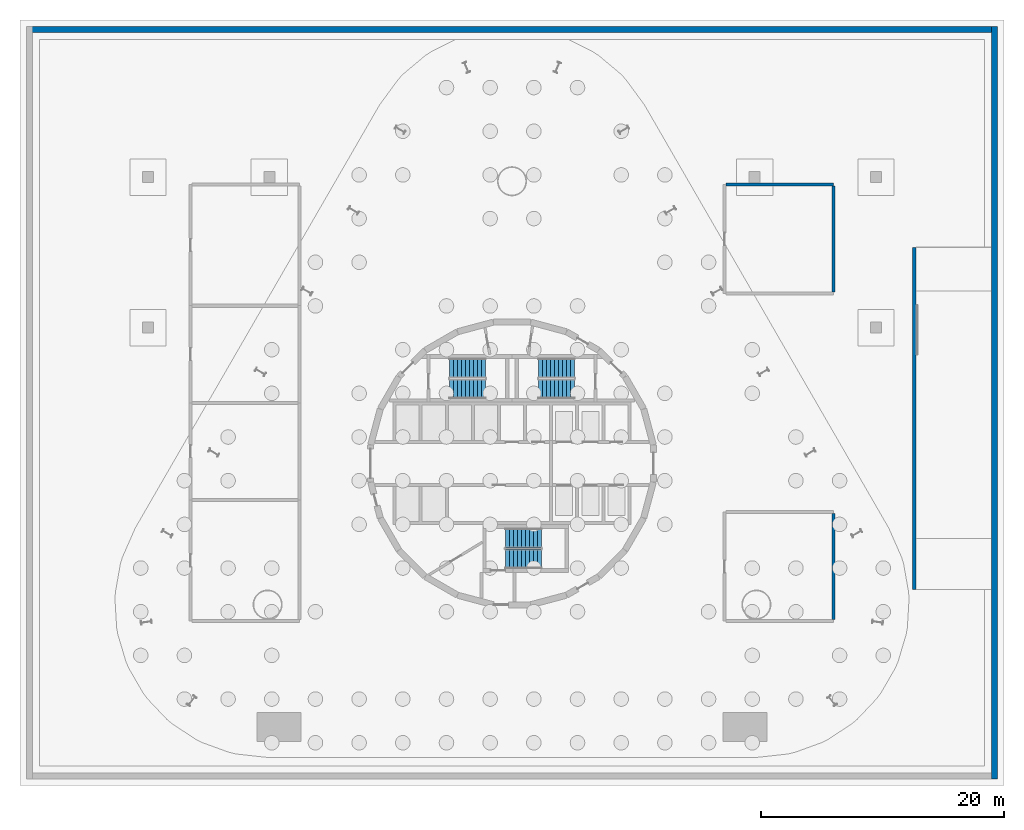
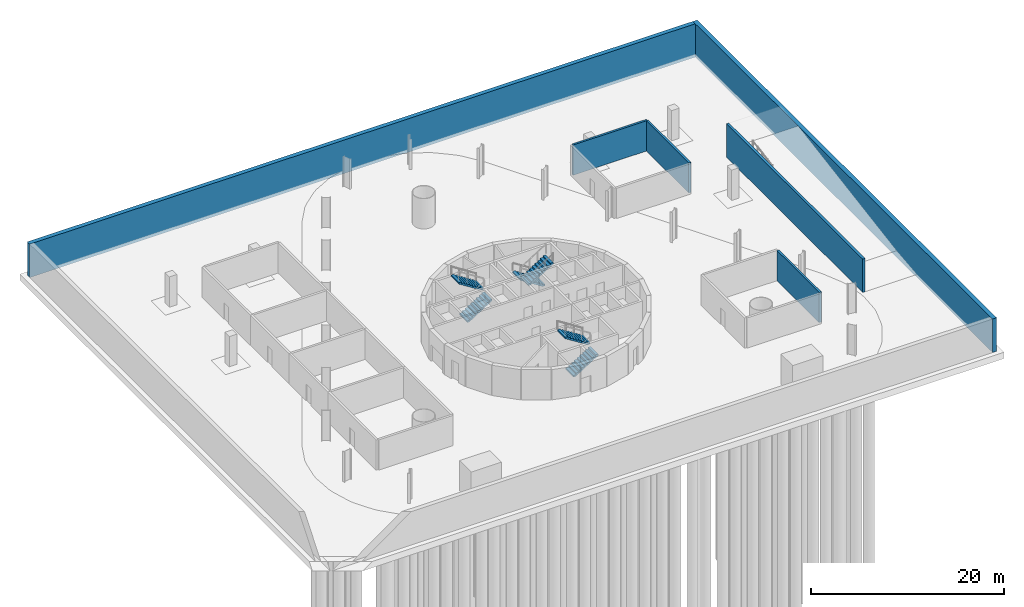
# One storey, part 9 of 11: 6 stair flights, 6 walls, 3 elements without a shape of their own.
"""IFC4 building model written with IfcOpenShell, lengths in metres."""

from ifc_helpers import new_model, si_unit, direction, frame, frame_2d, origin, place, context, subcontext, project, spatial, polyline, rectangle, outline, extrude, material, layer, layer_set, type_object, element, aggregate, save


model = new_model("IFC4")

# Units and contexts
model_context = context("Model", 3, precision=1e-05, world=origin(), true_north=direction((0.0, 1.0)))
body_context = subcontext(model_context, "Body", "Model", "MODEL_VIEW")
ifc_project = project(units=[si_unit("LENGTHUNIT", "METRE"), si_unit("AREAUNIT", "SQUARE_METRE"), si_unit("VOLUMEUNIT", "CUBIC_METRE"), si_unit("PLANEANGLEUNIT", "RADIAN"), si_unit("MASSUNIT", "GRAM", prefix="KILO")], contexts=[model_context])

# Site, building, storey
site_placement = place(None, origin())
site = spatial("IfcSite", under=ifc_project, at=site_placement, CompositionType="ELEMENT")
building_placement = place(site_placement, origin())
building = spatial("IfcBuilding", under=site, at=building_placement, Name="Spindle Arch Residences", CompositionType="ELEMENT")
storey_placement = place(building_placement, frame((0.0, 0.0, -8.39990234375)))
storey = spatial("IfcBuildingStorey", under=building, at=storey_placement, Name="B2", CompositionType="ELEMENT", Elevation=-8.39990234375)

# Walls
ifc_material_1 = material(Name="Concrete C40/50", Category="concrete")
ifc_layer_1 = layer(ifc_material_1, 0.5)
ifc_layer_set_1 = layer_set([ifc_layer_1], Name="Basement retaining wall 500")
wall_type_1 = type_object("IfcWallType", Name="Basement retaining wall 500", PredefinedType="SOLIDWALL", material=ifc_layer_set_1)
wall_1_placement = place(storey_placement, frame((39.75, -26.0, -0.400146484375), z_axis=(0.0, 0.0, 1.0), x_axis=(0.0, 1.0, 0.0)))
element("IfcWall", 1, at=wall_1_placement, inside=storey, type_object=wall_type_1, Name="Retaining wall 2", PredefinedType="SOLIDWALL", context=body_context, shape_type="SweptSolid", body=[
    extrude(rectangle(XDim=62.0, YDim=0.5, at=frame_2d((31.0, 0.0))), origin(), (0.0, 0.0, 1.0), 4.219970703125),
])
wall_2_placement = place(storey_placement, frame((40.0, 35.75, -0.400146484375), z_axis=(0.0, 0.0, 1.0), x_axis=(-1.0, 0.0, 0.0)))
element("IfcWall", 2, at=wall_2_placement, inside=storey, type_object=wall_type_1, Name="Retaining wall 3", PredefinedType="SOLIDWALL", context=body_context, shape_type="SweptSolid", body=[
    extrude(rectangle(XDim=80.0, YDim=0.5, at=frame_2d((40.0, 0.0))), origin(), (0.0, 0.0, 1.0), 4.219970703125),
])
ifc_material_2 = material(Name="Concrete C25/30 wall", Category="concrete")
ifc_layer_2 = layer(ifc_material_2, 0.25)
ifc_layer_set_2 = layer_set([ifc_layer_2], Name="Partition EI 120 250 plant")
wall_type_2 = type_object("IfcWallType", Name="Partition EI 120 250 plant", PredefinedType="PARTITIONING", material=ifc_layer_set_2)
wall_3_placement = place(storey_placement, frame((17.625, 23.0, 0.0), z_axis=(0.0, 0.0, 1.0), x_axis=(1.0, 0.0, 0.0)))
element("IfcWall", 3, at=wall_3_placement, inside=storey, type_object=wall_type_2, Name="B2-W017", PredefinedType="PARTITIONING", context=body_context, shape_type="SweptSolid", body=[
    extrude(rectangle(XDim=8.875, YDim=0.25, at=frame_2d((4.4375, 0.0))), origin(), (0.0, 0.0, 1.0), 3.81982421875),
])
for number, where, z_axis, x_axis, name in (
    (4, (26.5, -4.125, 0.0), (0.0, 0.0, 1.0), (0.0, -1.0, 0.0), "B2-W019"),
    (5, (26.5, 22.875, 0.0), (0.0, 0.0, 1.0), (0.0, -1.0, 0.0), "B2-W021"),
):
    element("IfcWall", number, at=place(storey_placement, frame(where, z_axis=z_axis, x_axis=x_axis)), inside=storey, type_object=wall_type_2, Name=name, PredefinedType="PARTITIONING", context=body_context, shape_type="SweptSolid", body=[
        extrude(rectangle(XDim=8.75, YDim=0.25, at=frame_2d((4.375, 0.0))), origin(), (0.0, 0.0, 1.0), 3.81982421875),
    ])
ifc_material_3 = material(Name="Concrete C32/40", Category="concrete")
ifc_layer_3 = layer(ifc_material_3, 0.300048828125)
ifc_layer_set_3 = layer_set([ifc_layer_3], Name="Ramp retaining wall 300")
wall_type_3 = type_object("IfcWallType", Name="Ramp retaining wall 300", PredefinedType="SOLIDWALL", material=ifc_layer_set_3)
wall_4_placement = place(storey_placement, frame((33.14990234375, 17.800048828125, 0.0), z_axis=(0.0, 0.0, 1.0), x_axis=(0.0, -1.0, 0.0)))
element("IfcWall", 6, at=wall_4_placement, inside=storey, type_object=wall_type_3, Name="Ramp E1 retaining wall", PredefinedType="SOLIDWALL", context=body_context, shape_type="SweptSolid", body=[
    extrude(rectangle(XDim=28.199951171875, YDim=0.300048828125, at=frame_2d((14.10009765625, 0.0))), origin(), (0.0, 0.0, 1.0), 4.199951171875),
])

# Stair, stair flights
ifc_material_4 = material(Name="Concrete C50/60", Category="concrete")
stair_type = type_object("IfcStairType", Name="Exit stair 20 risers", PredefinedType="HALF_TURN_STAIR", material=ifc_material_4)
stair_1_placement = place(storey_placement, origin())
stair_1 = element("IfcStair", 7, at=stair_1_placement, inside=storey, type_object=stair_type, Name="B2 Exit stair ST1", PredefinedType="HALF_TURN_STAIR")
ifc_material_5 = material(Name="Concrete C50/60", Category="concrete")
stair_flight_type = type_object("IfcStairFlightType", Name="Exit stair flight", PredefinedType="STRAIGHT", material=ifc_material_5)
stair_flight_1_placement = place(storey_placement, frame((5.14990234375, 7.8701171875, 0.0), z_axis=(0.0, 0.0, 1.0), x_axis=(-1.0, 0.0, 0.0)))
stair_flight_1 = element("IfcStairFlight", 8, at=stair_flight_1_placement, type_object=stair_flight_type, Name="ST1 flight 1", NumberOfRisers=10, NumberOfTreads=9, PredefinedType="STRAIGHT", RiserHeight=0.21, TreadLength=0.33, context=body_context, shape_type="SweptSolid", body=[
    extrude(outline(polyline([(0.0, 0.0), (0.0, 0.2099609375), (0.330078125, 0.2099609375), (0.330078125, 0.419921875), (0.659912109375, 0.419921875), (0.659912109375, 0.6298828125), (0.989990234375, 0.6298828125), (0.989990234375, 0.840087890625), (1.320068359375, 0.840087890625), (1.320068359375, 1.050048828125), (1.64990234375, 1.050048828125), (1.64990234375, 1.260009765625), (1.97998046875, 1.260009765625), (1.97998046875, 1.469970703125), (2.31005859375, 1.469970703125), (2.31005859375, 1.679931640625), (2.639892578125, 1.679931640625), (2.639892578125, 1.889892578125), (2.969970703125, 1.889892578125), (2.969970703125, 2.10009765625), (2.969970703125, 1.71240234375), (0.279296875, 0.0), (0.0, 0.0)])), frame((0.0, 0.800048828125, 0.0), z_axis=(0.0, -1.0, 0.0), x_axis=(1.0, 0.0, 0.0)), (0.0, 0.0, 1.0), 1.60009765625),
])
stair_flight_2_placement = place(storey_placement, frame((2.179931640625, 6.14990234375, 2.099853515625), z_axis=(0.0, 0.0, 1.0), x_axis=(1.0, 0.0, 0.0)))
stair_flight_2 = element("IfcStairFlight", 9, at=stair_flight_2_placement, type_object=stair_flight_type, Name="ST1 flight 2", NumberOfRisers=10, NumberOfTreads=9, PredefinedType="STRAIGHT", RiserHeight=0.21, TreadLength=0.33, context=body_context, shape_type="SweptSolid", body=[
    extrude(outline(polyline([(0.0, 0.0), (0.0, 0.2099609375), (0.330078125, 0.2099609375), (0.330078125, 0.419921875), (0.659912109375, 0.419921875), (0.659912109375, 0.6298828125), (0.989990234375, 0.6298828125), (0.989990234375, 0.840087890625), (1.320068359375, 0.840087890625), (1.320068359375, 1.050048828125), (1.64990234375, 1.050048828125), (1.64990234375, 1.260009765625), (1.97998046875, 1.260009765625), (1.97998046875, 1.469970703125), (2.31005859375, 1.469970703125), (2.31005859375, 1.679931640625), (2.639892578125, 1.679931640625), (2.639892578125, 1.889892578125), (2.969970703125, 1.889892578125), (2.969970703125, 2.10009765625), (2.969970703125, 1.71240234375), (0.279296875, 0.0), (0.0, 0.0)])), frame((0.0, 0.800048828125, 0.0), z_axis=(0.0, -1.0, 0.0), x_axis=(1.0, 0.0, 0.0)), (0.0, 0.0, 1.0), 1.60009765625),
])
aggregate(stair_1, [stair_flight_1, stair_flight_2])

stair_2_placement = place(storey_placement, origin())
stair_2 = element("IfcStair", 10, at=stair_2_placement, inside=storey, type_object=stair_type, Name="B2 Exit stair ST2", PredefinedType="HALF_TURN_STAIR")
stair_flight_3_placement = place(storey_placement, frame((-5.14990234375, 6.14990234375, 0.0), z_axis=(0.0, 0.0, 1.0), x_axis=(1.0, 0.0, 0.0)))
stair_flight_3 = element("IfcStairFlight", 11, at=stair_flight_3_placement, type_object=stair_flight_type, Name="ST2 flight 1", NumberOfRisers=10, NumberOfTreads=9, PredefinedType="STRAIGHT", RiserHeight=0.21, TreadLength=0.33, context=body_context, shape_type="SweptSolid", body=[
    extrude(outline(polyline([(0.0, 0.0), (0.0, 0.2099609375), (0.330078125, 0.2099609375), (0.330078125, 0.419921875), (0.659912109375, 0.419921875), (0.659912109375, 0.6298828125), (0.989990234375, 0.6298828125), (0.989990234375, 0.840087890625), (1.320068359375, 0.840087890625), (1.320068359375, 1.050048828125), (1.64990234375, 1.050048828125), (1.64990234375, 1.260009765625), (1.97998046875, 1.260009765625), (1.97998046875, 1.469970703125), (2.31005859375, 1.469970703125), (2.31005859375, 1.679931640625), (2.639892578125, 1.679931640625), (2.639892578125, 1.889892578125), (2.969970703125, 1.889892578125), (2.969970703125, 2.10009765625), (2.969970703125, 1.71240234375), (0.279296875, 0.0), (0.0, 0.0)])), frame((0.0, 0.800048828125, 0.0), z_axis=(0.0, -1.0, 0.0), x_axis=(1.0, 0.0, 0.0)), (0.0, 0.0, 1.0), 1.60009765625),
])
stair_flight_4_placement = place(storey_placement, frame((-2.179931640625, 7.8701171875, 2.099853515625), z_axis=(0.0, 0.0, 1.0), x_axis=(-1.0, 0.0, 0.0)))
stair_flight_4 = element("IfcStairFlight", 12, at=stair_flight_4_placement, type_object=stair_flight_type, Name="ST2 flight 2", NumberOfRisers=10, NumberOfTreads=9, PredefinedType="STRAIGHT", RiserHeight=0.21, TreadLength=0.33, context=body_context, shape_type="SweptSolid", body=[
    extrude(outline(polyline([(0.0, 0.0), (0.0, 0.2099609375), (0.330078125, 0.2099609375), (0.330078125, 0.419921875), (0.659912109375, 0.419921875), (0.659912109375, 0.6298828125), (0.989990234375, 0.6298828125), (0.989990234375, 0.840087890625), (1.320068359375, 0.840087890625), (1.320068359375, 1.050048828125), (1.64990234375, 1.050048828125), (1.64990234375, 1.260009765625), (1.97998046875, 1.260009765625), (1.97998046875, 1.469970703125), (2.31005859375, 1.469970703125), (2.31005859375, 1.679931640625), (2.639892578125, 1.679931640625), (2.639892578125, 1.889892578125), (2.969970703125, 1.889892578125), (2.969970703125, 2.10009765625), (2.969970703125, 1.71240234375), (0.279296875, 0.0), (0.0, 0.0)])), frame((0.0, 0.800048828125, 0.0), z_axis=(0.0, -1.0, 0.0), x_axis=(1.0, 0.0, 0.0)), (0.0, 0.0, 1.0), 1.60009765625),
])
aggregate(stair_2, [stair_flight_3, stair_flight_4])

stair_3_placement = place(storey_placement, origin())
stair_3 = element("IfcStair", 13, at=stair_3_placement, inside=storey, type_object=stair_type, Name="B2 Exit stair ST3", PredefinedType="HALF_TURN_STAIR")
stair_flight_5_placement = place(storey_placement, frame((-0.550048828125, -7.8701171875, 0.0), z_axis=(0.0, 0.0, 1.0), x_axis=(1.0, 0.0, 0.0)))
stair_flight_5 = element("IfcStairFlight", 14, at=stair_flight_5_placement, type_object=stair_flight_type, Name="ST3 flight 1", NumberOfRisers=10, NumberOfTreads=9, PredefinedType="STRAIGHT", RiserHeight=0.21, TreadLength=0.33, context=body_context, shape_type="SweptSolid", body=[
    extrude(outline(polyline([(0.0, 0.0), (0.0, 0.2099609375), (0.330078125, 0.2099609375), (0.330078125, 0.419921875), (0.659912109375, 0.419921875), (0.659912109375, 0.6298828125), (0.989990234375, 0.6298828125), (0.989990234375, 0.840087890625), (1.320068359375, 0.840087890625), (1.320068359375, 1.050048828125), (1.64990234375, 1.050048828125), (1.64990234375, 1.260009765625), (1.97998046875, 1.260009765625), (1.97998046875, 1.469970703125), (2.31005859375, 1.469970703125), (2.31005859375, 1.679931640625), (2.639892578125, 1.679931640625), (2.639892578125, 1.889892578125), (2.969970703125, 1.889892578125), (2.969970703125, 2.10009765625), (2.969970703125, 1.71240234375), (0.279296875, 0.0), (0.0, 0.0)])), frame((0.0, 0.800048828125, 0.0), z_axis=(0.0, -1.0, 0.0), x_axis=(1.0, 0.0, 0.0)), (0.0, 0.0, 1.0), 1.60009765625),
])
stair_flight_6_placement = place(storey_placement, frame((2.419921875, -6.14990234375, 2.099853515625), z_axis=(0.0, 0.0, 1.0), x_axis=(-1.0, 0.0, 0.0)))
stair_flight_6 = element("IfcStairFlight", 15, at=stair_flight_6_placement, type_object=stair_flight_type, Name="ST3 flight 2", NumberOfRisers=10, NumberOfTreads=9, PredefinedType="STRAIGHT", RiserHeight=0.21, TreadLength=0.33, context=body_context, shape_type="SweptSolid", body=[
    extrude(outline(polyline([(0.0, 0.0), (0.0, 0.2099609375), (0.330078125, 0.2099609375), (0.330078125, 0.419921875), (0.659912109375, 0.419921875), (0.659912109375, 0.6298828125), (0.989990234375, 0.6298828125), (0.989990234375, 0.840087890625), (1.320068359375, 0.840087890625), (1.320068359375, 1.050048828125), (1.64990234375, 1.050048828125), (1.64990234375, 1.260009765625), (1.97998046875, 1.260009765625), (1.97998046875, 1.469970703125), (2.31005859375, 1.469970703125), (2.31005859375, 1.679931640625), (2.639892578125, 1.679931640625), (2.639892578125, 1.889892578125), (2.969970703125, 1.889892578125), (2.969970703125, 2.10009765625), (2.969970703125, 1.71240234375), (0.279296875, 0.0), (0.0, 0.0)])), frame((0.0, 0.800048828125, 0.0), z_axis=(0.0, -1.0, 0.0), x_axis=(1.0, 0.0, 0.0)), (0.0, 0.0, 1.0), 1.60009765625),
])
aggregate(stair_3, [stair_flight_5, stair_flight_6])

save(model, "model.ifc")
